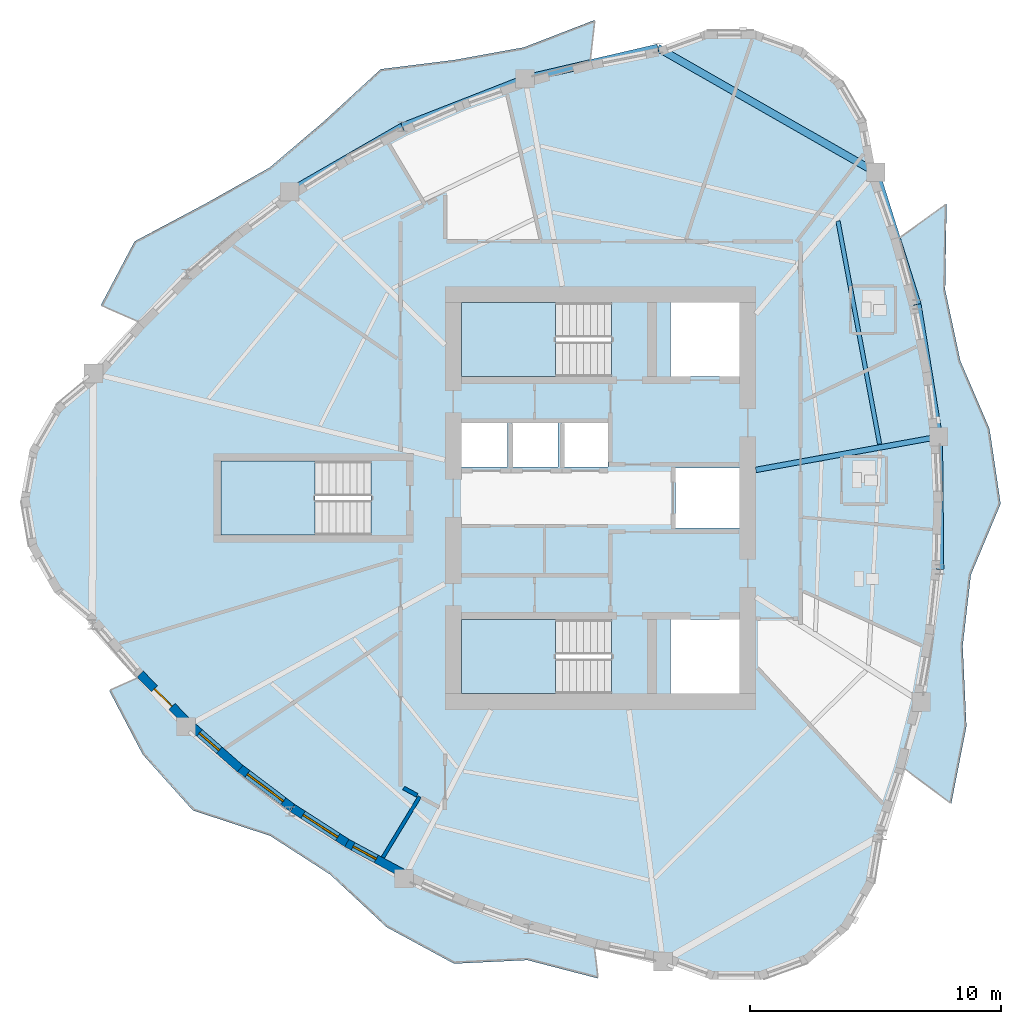
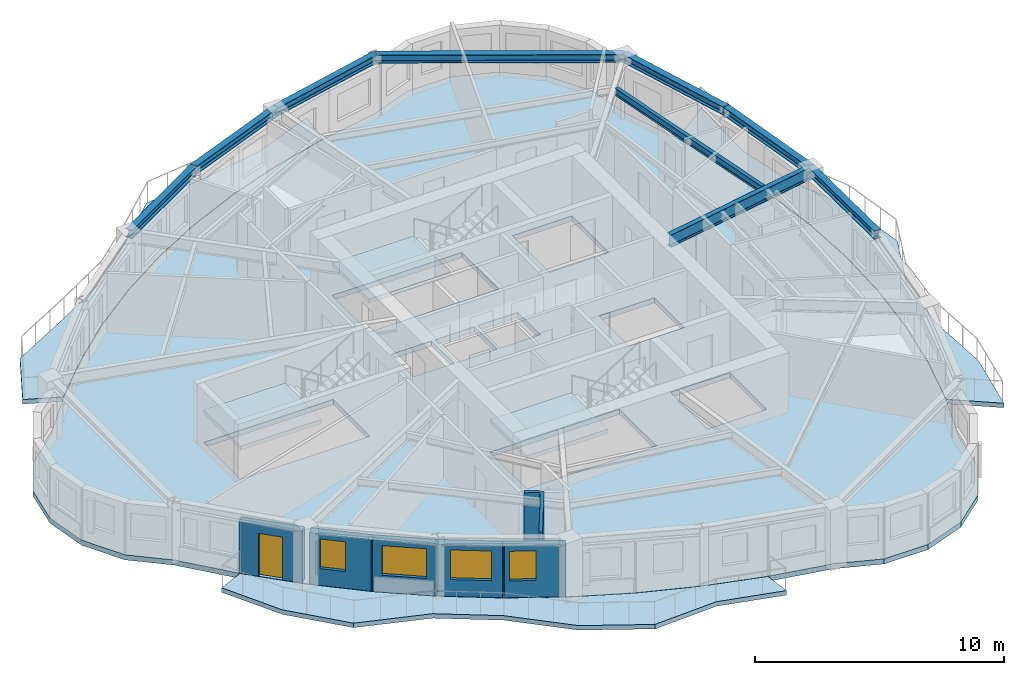
# One storey, part 2 of 12: 9 beams, 7 slabs, 7 walls, 4 windows, 1 door, 5 openings, 3 elements without a shape of their own.
"""IFC4 building model written with IfcOpenShell, lengths in metres."""

from ifc_helpers import new_model, si_unit, direction, frame, frame_2d, origin, origin_2d, place, context, subcontext, project, spatial, polyline, rectangle, i_section, outline, extrude, source, transform, mapped, material, layer, layer_set, material_profile, profile_set, type_object, element, fill, aggregate, save


model = new_model("IFC4")

# Units and contexts
model_context = context("Model", 3, precision=1e-05, world=origin(), true_north=direction((0.0, 1.0)))
body_context = subcontext(model_context, "Body", "Model", "MODEL_VIEW")
ifc_project = project(units=[si_unit("LENGTHUNIT", "METRE"), si_unit("AREAUNIT", "SQUARE_METRE"), si_unit("VOLUMEUNIT", "CUBIC_METRE"), si_unit("PLANEANGLEUNIT", "RADIAN"), si_unit("MASSUNIT", "GRAM", prefix="KILO")], contexts=[model_context])

# Site, building, storey
site_placement = place(None, origin())
site = spatial("IfcSite", under=ifc_project, at=site_placement, CompositionType="ELEMENT")
building_placement = place(site_placement, origin())
building = spatial("IfcBuilding", under=site, at=building_placement, Name="Qafzar Sky-Pleat Residences", CompositionType="ELEMENT")
storey_placement = place(building_placement, frame((0.0, 0.0, 145.800048828125)))
storey = spatial("IfcBuildingStorey", under=building, at=storey_placement, Name="L43", CompositionType="ELEMENT", Elevation=145.800048828125)

# Beams
ifc_material_1 = material(Name="Steel S355", Category="steel")
ifc_material_profile_1 = material_profile(ifc_material_1, i_section(OverallWidth=0.300048828125, OverallDepth=0.39990234375, WebThickness=0.013427734375, FlangeThickness=0.02392578125, FilletRadius=0.027099609375, at=origin_2d()), Name="HEB 400")
ifc_profile_set_1 = profile_set([ifc_material_profile_1], Name="Steel S355")
beam_type_1 = type_object("IfcBeamType", Name="BM-SPAN-HEB400", PredefinedType="SPANDREL", material=ifc_profile_set_1)
shared_shape_1 = source(origin(), body_context, "Body", "SweptSolid", [
    extrude(i_section(OverallWidth=0.300048828125, OverallDepth=0.39990234375, WebThickness=0.013427734375, FlangeThickness=0.02392578125, FilletRadius=0.027099609375, at=origin_2d()), origin(), (0.0, 0.0, 1.0), 10.017822265625),
])
beam_1_placement = place(storey_placement, frame((41.33837890625, 39.002197265625, 2.748046875), z_axis=(-0.868424551826, 0.495821336558, 0.0), x_axis=(-0.495821336558, -0.868424551826, 0.0)))
element("IfcBeam", 1, at=beam_1_placement, inside=storey, type_object=beam_type_1, Name="L43 Perimeter Spandrel Beam 13", PredefinedType="SPANDREL", context=body_context, shape_type="MappedRepresentation", body=[
    mapped(shared_shape_1, transform((0.0, 0.0, 0.0), x_axis=(1.0, 0.0, 0.0), y_axis=(0.0, 1.0, 0.0), z_axis=(0.0, 0.0, 1.0), scale=1.0)),
])
shared_shape_2 = source(origin(), body_context, "Body", "SweptSolid", [
    extrude(i_section(OverallWidth=0.300048828125, OverallDepth=0.39990234375, WebThickness=0.013427734375, FlangeThickness=0.02392578125, FilletRadius=0.027099609375, at=origin_2d()), origin(), (0.0, 0.0, 1.0), 5.5283203125),
])
beam_2_placement = place(storey_placement, frame((42.997314453125, 33.728759765625, 2.748046875), z_axis=(-0.300084966568, 0.953912476509, 0.0), x_axis=(-0.953912476509, -0.300084966568, 0.0)))
element("IfcBeam", 2, at=beam_2_placement, inside=storey, type_object=beam_type_1, Name="L43 Perimeter Spandrel Beam 12", PredefinedType="SPANDREL", context=body_context, shape_type="MappedRepresentation", body=[
    mapped(shared_shape_2, transform((0.0, 0.0, 0.0), x_axis=(1.0, 0.0, 0.0), y_axis=(0.0, 1.0, 0.0), z_axis=(0.0, 0.0, 1.0), scale=1.0)),
])
shared_shape_3 = source(origin(), body_context, "Body", "SweptSolid", [
    extrude(i_section(OverallWidth=0.300048828125, OverallDepth=0.39990234375, WebThickness=0.013427734375, FlangeThickness=0.02392578125, FilletRadius=0.027099609375, at=origin_2d()), origin(), (0.0, 0.0, 1.0), 5.289306640625),
])
beam_3_placement = place(storey_placement, frame((43.9033203125, 23.158203125, 2.748046875), z_axis=(-0.009646892298, 0.999953467652, 0.0), x_axis=(-0.999953467652, -0.009646892298, 0.0)))
element("IfcBeam", 3, at=beam_3_placement, inside=storey, type_object=beam_type_1, Name="L43 Perimeter Spandrel Beam 10", PredefinedType="SPANDREL", context=body_context, shape_type="MappedRepresentation", body=[
    mapped(shared_shape_3, transform((0.0, 0.0, 0.0), x_axis=(1.0, 0.0, 0.0), y_axis=(0.0, 1.0, 0.0), z_axis=(0.0, 0.0, 1.0), scale=1.0)),
])
shared_shape_4 = source(origin(), body_context, "Body", "SweptSolid", [
    extrude(i_section(OverallWidth=0.300048828125, OverallDepth=0.39990234375, WebThickness=0.013427734375, FlangeThickness=0.02392578125, FilletRadius=0.027099609375, at=origin_2d()), origin(), (0.0, 0.0, 1.0), 5.350341796875),
])
beam_4_placement = place(storey_placement, frame((43.852294921875, 28.447265625, 2.748046875), z_axis=(-0.159801974691, 0.987149091518, 0.0), x_axis=(-0.987149091518, -0.159801974691, 0.0)))
element("IfcBeam", 4, at=beam_4_placement, inside=storey, type_object=beam_type_1, Name="L43 Perimeter Spandrel Beam 11", PredefinedType="SPANDREL", context=body_context, shape_type="MappedRepresentation", body=[
    mapped(shared_shape_4, transform((0.0, 0.0, 0.0), x_axis=(1.0, 0.0, 0.0), y_axis=(0.0, 1.0, 0.0), z_axis=(0.0, 0.0, 1.0), scale=1.0)),
])
shared_shape_5 = source(origin(), body_context, "Body", "SweptSolid", [
    extrude(i_section(OverallWidth=0.300048828125, OverallDepth=0.39990234375, WebThickness=0.013427734375, FlangeThickness=0.02392578125, FilletRadius=0.027099609375, at=origin_2d()), origin(), (0.0, 0.0, 1.0), 5.435791015625),
])
beam_5_placement = place(storey_placement, frame((32.638671875, 43.96923828125, 2.748046875), z_axis=(-0.974010561903, -0.22650259447, 0.0), x_axis=(0.22650259447, -0.974010561903, 0.0)))
element("IfcBeam", 5, at=beam_5_placement, inside=storey, type_object=beam_type_1, Name="L43 Perimeter Spandrel Beam 14", PredefinedType="SPANDREL", context=body_context, shape_type="MappedRepresentation", body=[
    mapped(shared_shape_5, transform((0.0, 0.0, 0.0), x_axis=(1.0, 0.0, 0.0), y_axis=(0.0, 1.0, 0.0), z_axis=(0.0, 0.0, 1.0), scale=1.0)),
])
shared_shape_6 = source(origin(), body_context, "Body", "SweptSolid", [
    extrude(i_section(OverallWidth=0.300048828125, OverallDepth=0.39990234375, WebThickness=0.013427734375, FlangeThickness=0.02392578125, FilletRadius=0.027099609375, at=origin_2d()), origin(), (0.0, 0.0, 1.0), 5.260498046875),
])
beam_6_placement = place(storey_placement, frame((27.34423828125, 42.738037109375, 2.748046875), z_axis=(-0.931326294743, -0.364185849148, 0.0), x_axis=(0.364185849148, -0.931326294743, 0.0)))
element("IfcBeam", 6, at=beam_6_placement, inside=storey, type_object=beam_type_1, Name="L43 Perimeter Spandrel Beam 15", PredefinedType="SPANDREL", context=body_context, shape_type="MappedRepresentation", body=[
    mapped(shared_shape_6, transform((0.0, 0.0, 0.0), x_axis=(1.0, 0.0, 0.0), y_axis=(0.0, 1.0, 0.0), z_axis=(0.0, 0.0, 1.0), scale=1.0)),
])
shared_shape_7 = source(origin(), body_context, "Body", "SweptSolid", [
    extrude(i_section(OverallWidth=0.300048828125, OverallDepth=0.39990234375, WebThickness=0.013427734375, FlangeThickness=0.02392578125, FilletRadius=0.027099609375, at=origin_2d()), origin(), (0.0, 0.0, 1.0), 5.200927734375),
])
beam_7_placement = place(storey_placement, frame((22.445068359375, 40.822265625, 2.748046875), z_axis=(-0.866036280653, -0.499981160238, 0.0), x_axis=(0.499981160238, -0.866036280653, 0.0)))
element("IfcBeam", 7, at=beam_7_placement, inside=storey, type_object=beam_type_1, Name="L43 Perimeter Spandrel Beam 16", PredefinedType="SPANDREL", context=body_context, shape_type="MappedRepresentation", body=[
    mapped(shared_shape_7, transform((0.0, 0.0, 0.0), x_axis=(1.0, 0.0, 0.0), y_axis=(0.0, 1.0, 0.0), z_axis=(0.0, 0.0, 1.0), scale=1.0)),
])
ifc_material_profile_2 = material_profile(ifc_material_1, i_section(OverallWidth=0.219970703125, OverallDepth=0.60009765625, WebThickness=0.011962890625, FlangeThickness=0.01904296875, FilletRadius=0.02392578125, at=origin_2d()), Name="IPE 600")
ifc_profile_set_2 = profile_set([ifc_material_profile_2], Name="Steel S355")
beam_type_2 = type_object("IfcBeamType", Name="BM-SEC-IPE600", PredefinedType="BEAM", material=ifc_profile_set_2)
shared_shape_8 = source(origin(), body_context, "Body", "SweptSolid", [
    extrude(i_section(OverallWidth=0.219970703125, OverallDepth=0.60009765625, WebThickness=0.011962890625, FlangeThickness=0.01904296875, FilletRadius=0.02392578125, at=origin_2d()), origin(), (0.0, 0.0, 1.0), 7.421142578125),
])
beam_8_placement = place(storey_placement, frame((43.852294921875, 28.447265625, 2.64794921875), z_axis=(-0.983969240504, -0.178338256529, 0.0), x_axis=(0.178338256529, -0.983969240504, 0.0)))
element("IfcBeam", 8, at=beam_8_placement, inside=storey, type_object=beam_type_2, Name="L43 Radial Floor Girder 11", PredefinedType="BEAM", context=body_context, shape_type="MappedRepresentation", body=[
    mapped(shared_shape_8, transform((0.0, 0.0, 0.0), x_axis=(1.0, 0.0, 0.0), y_axis=(0.0, 1.0, 0.0), z_axis=(0.0, 0.0, 1.0), scale=1.0)),
])
ifc_material_profile_3 = material_profile(ifc_material_1, i_section(OverallWidth=0.169921875, OverallDepth=0.360107421875, WebThickness=0.008056640625, FlangeThickness=0.0126953125, FilletRadius=0.01806640625, at=origin_2d()), Name="IPE 360")
ifc_profile_set_3 = profile_set([ifc_material_profile_3], Name="Steel S355")
beam_type_3 = type_object("IfcBeamType", Name="BM-JST-IPE360", PredefinedType="JOIST", material=ifc_profile_set_3)
shared_shape_9 = source(origin(), body_context, "Body", "SweptSolid", [
    extrude(i_section(OverallWidth=0.169921875, OverallDepth=0.360107421875, WebThickness=0.008056640625, FlangeThickness=0.0126953125, FilletRadius=0.01806640625, at=origin_2d()), origin(), (0.0, 0.0, 1.0), 9.053466796875),
])
beam_9_placement = place(storey_placement, frame((41.49072265625, 28.156494140625, 2.76806640625), z_axis=(-0.18334735969, 0.983048190932, 0.0), x_axis=(-0.983048190932, -0.18334735969, 0.0)))
element("IfcBeam", 9, at=beam_9_placement, inside=storey, type_object=beam_type_3, Name="L43 Outer Secondary Floor Joist 6", PredefinedType="JOIST", context=body_context, shape_type="MappedRepresentation", body=[
    mapped(shared_shape_9, transform((0.0, 0.0, 0.0), x_axis=(1.0, 0.0, 0.0), y_axis=(0.0, 1.0, 0.0), z_axis=(0.0, 0.0, 1.0), scale=1.0)),
])

# Slabs
ifc_material_2 = material(Name="Concrete C40/50", Category="concrete")
ifc_layer_1 = layer(ifc_material_2, 0.219970703125)
ifc_layer_set_1 = layer_set([ifc_layer_1], Name="Concrete C40/50")
slab_type_1 = type_object("IfcSlabType", Name="SLAB-BAL-220", PredefinedType="USERDEFINED", material=ifc_layer_set_1)
slab_1_placement = place(storey_placement, frame((0.0, 0.0, -0.219970703125)))
element("IfcSlab", 10, at=slab_1_placement, inside=storey, type_object=slab_type_1, Name="L43 Pleated Stone Balcony 1", ObjectType="BALCONY", PredefinedType="USERDEFINED", context=body_context, shape_type="SweptSolid", body=[
    extrude(outline(polyline([(43.160888671875, 17.855712890625), (43.638427734375, 20.5068359375), (43.9150390625, 23.15625), (43.990234375, 25.8037109375), (43.864013671875, 28.44921875), (43.53662109375, 31.0927734375), (43.0078125, 33.734130859375), (42.278076171875, 36.37353515625), (44.163818359375, 37.743408203125), (44.1083984375, 34.30126953125), (44.712890625, 31.478515625), (45.878173828125, 28.760009765625), (46.32080078125, 25.77490234375), (45.1337890625, 22.9384765625), (44.806640625, 20.096435546875), (44.956298828125, 16.891357421875), (44.3505859375, 13.809814453125), (42.48193359375, 15.202880859375), (43.160888671875, 17.855712890625)])), origin(), (0.0, 0.0, 1.0), 0.219970703125),
])
slab_2_placement = place(storey_placement, frame((0.0, 0.0, -0.219970703125)))
element("IfcSlab", 11, at=slab_2_placement, inside=storey, type_object=slab_type_1, Name="L43 Pleated Stone Balcony 2", ObjectType="BALCONY", PredefinedType="USERDEFINED", context=body_context, shape_type="SweptSolid", body=[
    extrude(outline(polyline([(27.34375, 42.75), (24.8427734375, 41.877685546875), (22.44091796875, 40.83349609375), (20.1376953125, 39.6181640625), (17.933349609375, 38.231201171875), (15.828369140625, 36.673095703125), (13.822265625, 34.943359375), (11.915283203125, 33.04248046875), (10.414794921875, 33.69970703125), (11.760009765625, 36.244140625), (14.5966796875, 37.7529296875), (17.146728515625, 39.187255859375), (19.318603515625, 41.03662109375), (21.585205078125, 43.116455078125), (24.523193359375, 43.484130859375), (27.29541015625, 43.987060546875), (30.12451171875, 45.0791015625), (29.943359375, 43.451171875), (27.34375, 42.75)])), origin(), (0.0, 0.0, 1.0), 0.219970703125),
])
slab_3_placement = place(storey_placement, frame((0.0, 0.0, -0.219970703125)))
element("IfcSlab", 12, at=slab_3_placement, inside=storey, type_object=slab_type_1, Name="L43 Pleated Stone Balcony 3", ObjectType="BALCONY", PredefinedType="USERDEFINED", context=body_context, shape_type="SweptSolid", body=[
    extrude(outline(polyline([(13.798095703125, 16.869873046875), (15.8212890625, 15.09130859375), (17.947021484375, 13.48583984375), (20.1748046875, 12.053955078125), (22.50537109375, 10.79541015625), (24.93798828125, 9.710205078125), (27.47265625, 8.798095703125), (30.109619140625, 8.059814453125), (30.254150390625, 6.830322265625), (27.434814453125, 7.560791015625), (24.50732421875, 7.41943359375), (21.812744140625, 8.878662109375), (19.569091796875, 10.974365234375), (17.17138671875, 12.520751953125), (14.085205078125, 13.5361328125), (12.083740234375, 15.767822265625), (10.746337890625, 18.318115234375), (11.877197265625, 18.821533203125), (13.798095703125, 16.869873046875)])), origin(), (0.0, 0.0, 1.0), 0.219970703125),
])
ifc_layer_2 = layer(ifc_material_2, 0.25)
ifc_layer_set_2 = layer_set([ifc_layer_2], Name="Concrete C40/50")
slab_type_2 = type_object("IfcSlabType", Name="SLAB-FLR-250", PredefinedType="FLOOR", material=ifc_layer_set_2)
slab_4_placement = place(storey_placement, frame((0.0, 0.0, -0.25)))
element("IfcSlab", 13, at=slab_4_placement, inside=storey, type_object=slab_type_2, Name="L43 Structural Floor Slab", PredefinedType="FLOOR", context=body_context, shape_type="SweptSolid", body=[
    extrude(outline(polyline([(10.118896484375, 30.967529296875), (8.581787109375, 29.6796875), (7.5751953125, 27.94580078125), (7.218994140625, 25.972412109375), (7.555908203125, 23.995849609375), (8.5458984375, 22.252197265625), (10.070556640625, 20.94970703125), (11.88818359375, 18.826416015625), (13.80810546875, 16.87646484375), (15.830078125, 15.099365234375), (17.954345703125, 13.495361328125), (20.180908203125, 12.064453125), (22.509521484375, 10.806640625), (24.940185546875, 9.721923828125), (27.472900390625, 8.810302734375), (30.108154296875, 8.07177734375), (32.845458984375, 7.506103515625), (34.749755859375, 6.795654296875), (36.782470703125, 6.785888671875), (38.693603515625, 7.47802734375), (40.248779296875, 8.787109375), (41.256591796875, 10.55224609375), (41.593505859375, 12.556884765625), (42.472412109375, 15.210205078125), (43.150390625, 17.861572265625), (43.627197265625, 20.5107421875), (43.9033203125, 23.158203125), (43.978271484375, 25.8037109375), (43.852294921875, 28.447265625), (43.525146484375, 31.089111328125), (42.997314453125, 33.728759765625), (42.268310546875, 36.366455078125), (41.33837890625, 39.002197265625), (40.97265625, 40.9736328125), (39.95751953125, 42.702880859375), (38.414306640625, 43.983154296875), (36.52734375, 44.661376953125), (34.522216796875, 44.656494140625), (32.638671875, 43.96923828125), (29.94189453125, 43.439208984375), (27.34423828125, 42.738037109375), (24.84521484375, 41.86572265625), (22.445068359375, 40.822265625), (20.1435546875, 39.607666015625), (17.94091796875, 38.221923828125), (15.83740234375, 36.6650390625), (13.832275390625, 34.93701171875), (11.92626953125, 33.037841796875), (10.118896484375, 30.967529296875)]), holes=[polyline([(30.797119140625, 21.14990234375), (24.800048828125, 21.14990234375), (24.800048828125, 18.199951171875), (30.797119140625, 18.199951171875), (30.797119140625, 21.14990234375)]), polyline([(30.797119140625, 33.800048828125), (24.800048828125, 33.800048828125), (24.800048828125, 30.85009765625), (30.797119140625, 30.85009765625), (30.797119140625, 33.800048828125)]), polyline([(21.197021484375, 27.47509765625), (15.199951171875, 27.47509765625), (15.199951171875, 24.52490234375), (21.197021484375, 24.52490234375), (21.197021484375, 27.47509765625)]), polyline([(24.800048828125, 27.25), (26.64990234375, 27.25), (26.64990234375, 29.050048828125), (24.800048828125, 29.050048828125), (24.800048828125, 27.25)]), polyline([(26.800048828125, 27.25), (28.64990234375, 27.25), (28.64990234375, 29.050048828125), (26.800048828125, 29.050048828125), (26.800048828125, 27.25)]), polyline([(28.800048828125, 27.25), (30.64990234375, 27.25), (30.64990234375, 29.050048828125), (28.800048828125, 29.050048828125), (28.800048828125, 27.25)]), polyline([(33.14990234375, 18.199951171875), (35.89990234375, 18.199951171875), (35.89990234375, 21.14990234375), (33.14990234375, 21.14990234375), (33.14990234375, 18.199951171875)]), polyline([(33.14990234375, 30.85009765625), (35.89990234375, 30.85009765625), (35.89990234375, 33.800048828125), (33.14990234375, 33.800048828125), (33.14990234375, 30.85009765625)]), polyline([(33.35009765625, 24.800048828125), (35.89990234375, 24.800048828125), (35.89990234375, 27.199951171875), (33.35009765625, 27.199951171875), (33.35009765625, 24.800048828125)])]), origin(), (0.0, 0.0, 1.0), 0.25),
])

# Stair, slab
stair_type = type_object("IfcStairType", Name="STAIR-H320", PredefinedType="HALF_TURN_STAIR", material=ifc_material_2)
stair_1_placement = place(storey_placement, origin())
stair_1 = element("IfcStair", 14, at=stair_1_placement, inside=storey, type_object=stair_type, Name="L43 Protected Exit Stair ST1", PredefinedType="HALF_TURN_STAIR")
ifc_layer_3 = layer(ifc_material_2, 0.199951171875)
ifc_layer_set_3 = layer_set([ifc_layer_3], Name="Concrete C40/50")
slab_type_3 = type_object("IfcSlabType", Name="SLAB-LANDING-200", PredefinedType="LANDING", material=ifc_layer_set_3)
slab_5_placement = place(storey_placement, frame((0.0, 0.0, 1.39990234375)))
slab_5 = element("IfcSlab", 15, at=slab_5_placement, type_object=slab_type_3, Name="ST1 landing 1", PredefinedType="LANDING", context=body_context, shape_type="SweptSolid", body=[
    extrude(outline(polyline([(28.56005859375, 21.14990234375), (24.800048828125, 21.14990234375), (24.800048828125, 18.199951171875), (28.56005859375, 18.199951171875), (28.56005859375, 21.14990234375)])), origin(), (0.0, 0.0, 1.0), 0.199951171875),
])
aggregate(stair_1, [slab_5])

stair_2_placement = place(storey_placement, origin())
stair_2 = element("IfcStair", 16, at=stair_2_placement, inside=storey, type_object=stair_type, Name="L43 Protected Exit Stair ST2", PredefinedType="HALF_TURN_STAIR")
slab_6_placement = place(storey_placement, frame((0.0, 0.0, 1.39990234375)))
slab_6 = element("IfcSlab", 17, at=slab_6_placement, type_object=slab_type_3, Name="ST2 landing 1", PredefinedType="LANDING", context=body_context, shape_type="SweptSolid", body=[
    extrude(outline(polyline([(28.56005859375, 33.800048828125), (24.800048828125, 33.800048828125), (24.800048828125, 30.85009765625), (28.56005859375, 30.85009765625), (28.56005859375, 33.800048828125)])), origin(), (0.0, 0.0, 1.0), 0.199951171875),
])
aggregate(stair_2, [slab_6])

stair_3_placement = place(storey_placement, origin())
stair_3 = element("IfcStair", 18, at=stair_3_placement, inside=storey, type_object=stair_type, Name="L43 Protected Exit Stair ST3", PredefinedType="HALF_TURN_STAIR")
slab_7_placement = place(storey_placement, frame((0.0, 0.0, 1.39990234375)))
slab_7 = element("IfcSlab", 19, at=slab_7_placement, type_object=slab_type_3, Name="ST3 landing 1", PredefinedType="LANDING", context=body_context, shape_type="SweptSolid", body=[
    extrude(outline(polyline([(18.9599609375, 27.47509765625), (15.199951171875, 27.47509765625), (15.199951171875, 24.52490234375), (18.9599609375, 24.52490234375), (18.9599609375, 27.47509765625)])), origin(), (0.0, 0.0, 1.0), 0.199951171875),
])
aggregate(stair_3, [slab_7])

# Walls
ifc_material_3 = material(Name="Acoustic gypsum plasterboard partition", Category="gypsum")
ifc_layer_4 = layer(ifc_material_3, 0.159912109375)
ifc_layer_set_4 = layer_set([ifc_layer_4], Name="Acoustic gypsum plasterboard partition")
wall_type_1 = type_object("IfcWallType", Name="PART-COR-160", PredefinedType="PARTITIONING", material=ifc_layer_set_4)
wall_1_placement = place(storey_placement, frame((22.4951171875, 14.428466796875, 0.0), z_axis=(0.0, 0.0, 1.0), x_axis=(0.880048601236, -0.474883627285, 0.0)))
element("IfcWall", 20, at=wall_1_placement, inside=storey, type_object=wall_type_1, Name="L43 Partition Wall PART-L43-PW-041", PredefinedType="PARTITIONING", context=body_context, shape_type="SweptSolid", body=[
    extrude(rectangle(XDim=0.61279296875, YDim=0.159912109375, at=frame_2d((0.306396484375, 0.0))), origin(), (0.0, 0.0, 1.0), 2.949951171875),
])
ifc_layer_5 = layer(ifc_material_3, 0.14501953125)
ifc_layer_set_5 = layer_set([ifc_layer_5], Name="Acoustic gypsum plasterboard partition")
wall_type_2 = type_object("IfcWallType", Name="PART-UNIT-145", PredefinedType="PARTITIONING", material=ifc_layer_set_5)
wall_2_placement = place(storey_placement, frame((21.668212890625, 11.660400390625, 0.0), z_axis=(0.0, 0.0, 1.0), x_axis=(0.517927198926, 0.855424699557, 0.0)))
element("IfcWall", 21, at=wall_2_placement, inside=storey, type_object=wall_type_2, Name="L43 Partition Wall PART-L43-PW-026", PredefinedType="PARTITIONING", context=body_context, shape_type="SweptSolid", body=[
    extrude(rectangle(XDim=2.83203125, YDim=0.14501953125, at=frame_2d((1.416015625, 0.0))), origin(), (0.0, 0.0, 1.0), 2.949951171875),
])

# Wall, opening, door
ifc_material_4 = material(Name="Precast concrete C40/50 with honed Riyadh limestone", Category="concrete")
ifc_layer_6 = layer(ifc_material_4, 0.340087890625)
ifc_layer_set_6 = layer_set([ifc_layer_6], Name="Precast concrete C40/50 with honed Riyadh limestone")
wall_type_3 = type_object("IfcWallType", Name="WALL-EXT-340", PredefinedType="SOLIDWALL", material=ifc_layer_set_6)
wall_3_placement = place(storey_placement, frame((11.98291015625, 18.972900390625, 0.0), z_axis=(0.0, 0.0, 1.0), x_axis=(0.701539452628, -0.712630617084, 0.0)))
wall_3 = element("IfcWall", 22, at=wall_3_placement, inside=storey, type_object=wall_type_3, Name="L43 Limestone Facade Wall 8", PredefinedType="SOLIDWALL", context=body_context, shape_type="SweptSolid", body=[
    extrude(rectangle(XDim=2.619384765625, YDim=0.340087890625, at=frame_2d((1.3095703125, 0.0))), origin(), (0.0, 0.0, 1.0), 2.530029296875),
])
opening_1_placement = place(wall_3_placement, frame((0.809814453125, 0.0, 0.0)))
opening_1 = element("IfcOpeningElement", 23, at=opening_1_placement, cuts=wall_3, Name="Opening ED-05", PredefinedType="OPENING", context=body_context, shape_type="SweptSolid", body=[
    extrude(rectangle(XDim=1.0, YDim=2.10009765625, at=frame_2d((0.5, 1.050048828125))), frame((0.0, 0.18017578125, 0.0), z_axis=(0.0, -1.0, 0.0), x_axis=(1.0, 0.0, 0.0)), (0.0, 0.0, 1.0), 0.360107421875),
])
ifc_material_5 = material(Name="Glazed bronze aluminium door", Category="aluminium")
door_type = type_object("IfcDoorType", Name="DR-BAL-1000", OperationType="NOTDEFINED", PredefinedType="DOOR", material=ifc_material_5)
shared_shape_10 = source(origin(), body_context, "Body", "SweptSolid", [
    extrude(rectangle(XDim=1.0, YDim=2.10009765625, at=frame_2d((0.5, 1.050048828125))), frame((0.0, 0.02490234375, 0.0), z_axis=(0.0, -1.0, 0.0), x_axis=(1.0, 0.0, 0.0)), (0.0, 0.0, 1.0), 0.050048828125),
])
door_placement = place(opening_1_placement, origin())
door = element("IfcDoor", 24, at=door_placement, inside=storey, type_object=door_type, Name="L43 Glazed Balcony Door 3", OperationType="SINGLE_SWING_LEFT", OverallHeight=2.10009765625, OverallWidth=1.0, PredefinedType="DOOR", context=body_context, shape_type="MappedRepresentation", body=[
    mapped(shared_shape_10, transform((0.0, 0.0, 0.0), x_axis=(1.0, 0.0, 0.0), y_axis=(0.0, 1.0, 0.0), z_axis=(0.0, 0.0, 1.0), scale=1.0)),
])
fill(opening_1, door)

# Wall, opening, window
wall_4_placement = place(storey_placement, frame((14.036865234375, 16.90185546875, 0.0), z_axis=(0.0, 0.0, 1.0), x_axis=(0.751106484969, -0.66018107231, 0.0)))
wall_4 = element("IfcWall", 25, at=wall_4_placement, inside=storey, type_object=wall_type_3, Name="L43 Limestone Facade Wall 9", PredefinedType="SOLIDWALL", context=body_context, shape_type="SweptSolid", body=[
    extrude(rectangle(XDim=2.574951171875, YDim=0.340087890625, at=frame_2d((1.28759765625, 0.0))), origin(), (0.0, 0.0, 1.0), 2.530029296875),
])
opening_2_placement = place(wall_4_placement, frame((0.416259765625, 0.0, 0.820068359375)))
opening_2 = element("IfcOpeningElement", 26, at=opening_2_placement, cuts=wall_4, Name="Opening WN-06", PredefinedType="OPENING", context=body_context, shape_type="SweptSolid", body=[
    extrude(rectangle(XDim=1.050048828125, YDim=1.449951171875, at=frame_2d((0.52490234375, 0.72509765625))), frame((0.0, 0.18017578125, 0.0), z_axis=(0.0, -1.0, 0.0), x_axis=(1.0, 0.0, 0.0)), (0.0, 0.0, 1.0), 0.360107421875),
])
ifc_material_6 = material(Name="Solar-control low-E glass in bronze aluminium frame", Category="glass")
window_type_1 = type_object("IfcWindowType", Name="WIN-06", PartitioningType="SINGLE_PANEL", PredefinedType="WINDOW", material=ifc_material_6)
shared_shape_11 = source(origin(), body_context, "Body", "SweptSolid", [
    extrude(rectangle(XDim=1.050048828125, YDim=1.449951171875, at=frame_2d((0.52490234375, 0.72509765625))), frame((0.0, 0.030029296875, 0.0), z_axis=(0.0, -1.0, 0.0), x_axis=(1.0, 0.0, 0.0)), (0.0, 0.0, 1.0), 0.06005859375),
])
window_1_placement = place(opening_2_placement, origin())
window_1 = element("IfcWindow", 27, at=window_1_placement, inside=storey, type_object=window_type_1, Name="L43 Punched Facade Window 09", OverallHeight=1.449951171875, OverallWidth=1.050048828125, PartitioningType="SINGLE_PANEL", PredefinedType="WINDOW", context=body_context, shape_type="MappedRepresentation", body=[
    mapped(shared_shape_11, transform((0.0, 0.0, 0.0), x_axis=(1.0, 0.0, 0.0), y_axis=(0.0, 1.0, 0.0), z_axis=(0.0, 0.0, 1.0), scale=1.0)),
])
fill(opening_2, window_1)

wall_5_placement = place(storey_placement, frame((15.90234375, 15.2578125, 0.0), z_axis=(0.0, 0.0, 1.0), x_axis=(0.798071768164, -0.60256240578, 0.0)))
wall_5 = element("IfcWall", 28, at=wall_5_placement, inside=storey, type_object=wall_type_3, Name="L43 Limestone Facade Wall 10", PredefinedType="SOLIDWALL", context=body_context, shape_type="SweptSolid", body=[
    extrude(rectangle(XDim=2.6796875, YDim=0.340087890625, at=frame_2d((1.33984375, 0.0))), origin(), (0.0, 0.0, 1.0), 2.530029296875),
])
opening_3_placement = place(wall_5_placement, frame((0.449951171875, 0.0, 0.820068359375)))
opening_3 = element("IfcOpeningElement", 29, at=opening_3_placement, cuts=wall_5, Name="Opening WN-01", PredefinedType="OPENING", context=body_context, shape_type="SweptSolid", body=[
    extrude(rectangle(XDim=1.800048828125, YDim=1.449951171875, at=frame_2d((0.89990234375, 0.72509765625))), frame((0.0, 0.18017578125, 0.0), z_axis=(0.0, -1.0, 0.0), x_axis=(1.0, 0.0, 0.0)), (0.0, 0.0, 1.0), 0.360107421875),
])
window_type_2 = type_object("IfcWindowType", Name="WIN-01", PartitioningType="DOUBLE_PANEL_VERTICAL", PredefinedType="WINDOW", material=ifc_material_6)
shared_shape_12 = source(origin(), body_context, "Body", "SweptSolid", [
    extrude(rectangle(XDim=1.800048828125, YDim=1.449951171875, at=frame_2d((0.89990234375, 0.72509765625))), frame((0.0, 0.030029296875, 0.0), z_axis=(0.0, -1.0, 0.0), x_axis=(1.0, 0.0, 0.0)), (0.0, 0.0, 1.0), 0.06005859375),
])
window_2_placement = place(opening_3_placement, origin())
window_2 = element("IfcWindow", 30, at=window_2_placement, inside=storey, type_object=window_type_2, Name="L43 Punched Facade Window 10", OverallHeight=1.449951171875, OverallWidth=1.800048828125, PartitioningType="SINGLE_PANEL", PredefinedType="WINDOW", context=body_context, shape_type="MappedRepresentation", body=[
    mapped(shared_shape_12, transform((0.0, 0.0, 0.0), x_axis=(1.0, 0.0, 0.0), y_axis=(0.0, 1.0, 0.0), z_axis=(0.0, 0.0, 1.0), scale=1.0)),
])
fill(opening_3, window_2)

wall_6_placement = place(storey_placement, frame((18.06298828125, 13.62744140625, 0.0), z_axis=(0.0, 0.0, 1.0), x_axis=(0.841291581189, -0.540581608475, 0.0)))
wall_6 = element("IfcWall", 31, at=wall_6_placement, inside=storey, type_object=wall_type_3, Name="L43 Limestone Facade Wall 11", PredefinedType="SOLIDWALL", context=body_context, shape_type="SweptSolid", body=[
    extrude(rectangle(XDim=2.66455078125, YDim=0.340087890625, at=frame_2d((1.332275390625, 0.0))), origin(), (0.0, 0.0, 1.0), 2.530029296875),
])
opening_4_placement = place(wall_6_placement, frame((0.497314453125, 0.0, 0.820068359375)))
opening_4 = element("IfcOpeningElement", 32, at=opening_4_placement, cuts=wall_6, Name="Opening WN-02", PredefinedType="OPENING", context=body_context, shape_type="SweptSolid", body=[
    extrude(rectangle(XDim=1.64990234375, YDim=1.449951171875, at=frame_2d((0.824951171875, 0.72509765625))), frame((0.0, 0.18017578125, 0.0), z_axis=(0.0, -1.0, 0.0), x_axis=(1.0, 0.0, 0.0)), (0.0, 0.0, 1.0), 0.360107421875),
])
window_type_3 = type_object("IfcWindowType", Name="WIN-02", PartitioningType="DOUBLE_PANEL_VERTICAL", PredefinedType="WINDOW", material=ifc_material_6)
shared_shape_13 = source(origin(), body_context, "Body", "SweptSolid", [
    extrude(rectangle(XDim=1.64990234375, YDim=1.449951171875, at=frame_2d((0.824951171875, 0.72509765625))), frame((0.0, 0.030029296875, 0.0), z_axis=(0.0, -1.0, 0.0), x_axis=(1.0, 0.0, 0.0)), (0.0, 0.0, 1.0), 0.06005859375),
])
window_3_placement = place(opening_4_placement, origin())
window_3 = element("IfcWindow", 33, at=window_3_placement, inside=storey, type_object=window_type_3, Name="L43 Punched Facade Window 11", OverallHeight=1.449951171875, OverallWidth=1.64990234375, PartitioningType="SINGLE_PANEL", PredefinedType="WINDOW", context=body_context, shape_type="MappedRepresentation", body=[
    mapped(shared_shape_13, transform((0.0, 0.0, 0.0), x_axis=(1.0, 0.0, 0.0), y_axis=(0.0, 1.0, 0.0), z_axis=(0.0, 0.0, 1.0), scale=1.0)),
])
fill(opening_4, window_3)

wall_7_placement = place(storey_placement, frame((20.228271484375, 12.23193359375, 0.0), z_axis=(0.0, 0.0, 1.0), x_axis=(0.879850512407, -0.47525054005, 0.0)))
wall_7 = element("IfcWall", 34, at=wall_7_placement, inside=storey, type_object=wall_type_3, Name="L43 Limestone Facade Wall 12", PredefinedType="SOLIDWALL", context=body_context, shape_type="SweptSolid", body=[
    extrude(rectangle(XDim=2.529541015625, YDim=0.340087890625, at=frame_2d((1.2646484375, 0.0))), origin(), (0.0, 0.0, 1.0), 2.530029296875),
])
opening_5_placement = place(wall_7_placement, frame((0.28369140625, 0.0, 0.820068359375)))
opening_5 = element("IfcOpeningElement", 35, at=opening_5_placement, cuts=wall_7, Name="Opening WN-06", PredefinedType="OPENING", context=body_context, shape_type="SweptSolid", body=[
    extrude(rectangle(XDim=1.050048828125, YDim=1.449951171875, at=frame_2d((0.52490234375, 0.72509765625))), frame((0.0, 0.18017578125, 0.0), z_axis=(0.0, -1.0, 0.0), x_axis=(1.0, 0.0, 0.0)), (0.0, 0.0, 1.0), 0.360107421875),
])
window_4_placement = place(opening_5_placement, origin())
window_4 = element("IfcWindow", 36, at=window_4_placement, inside=storey, type_object=window_type_1, Name="L43 Punched Facade Window 12", OverallHeight=1.449951171875, OverallWidth=1.050048828125, PartitioningType="SINGLE_PANEL", PredefinedType="WINDOW", context=body_context, shape_type="MappedRepresentation", body=[
    mapped(shared_shape_11, transform((0.0, 0.0, 0.0), x_axis=(1.0, 0.0, 0.0), y_axis=(0.0, 1.0, 0.0), z_axis=(0.0, 0.0, 1.0), scale=1.0)),
])
fill(opening_5, window_4)

save(model, "model.ifc")
